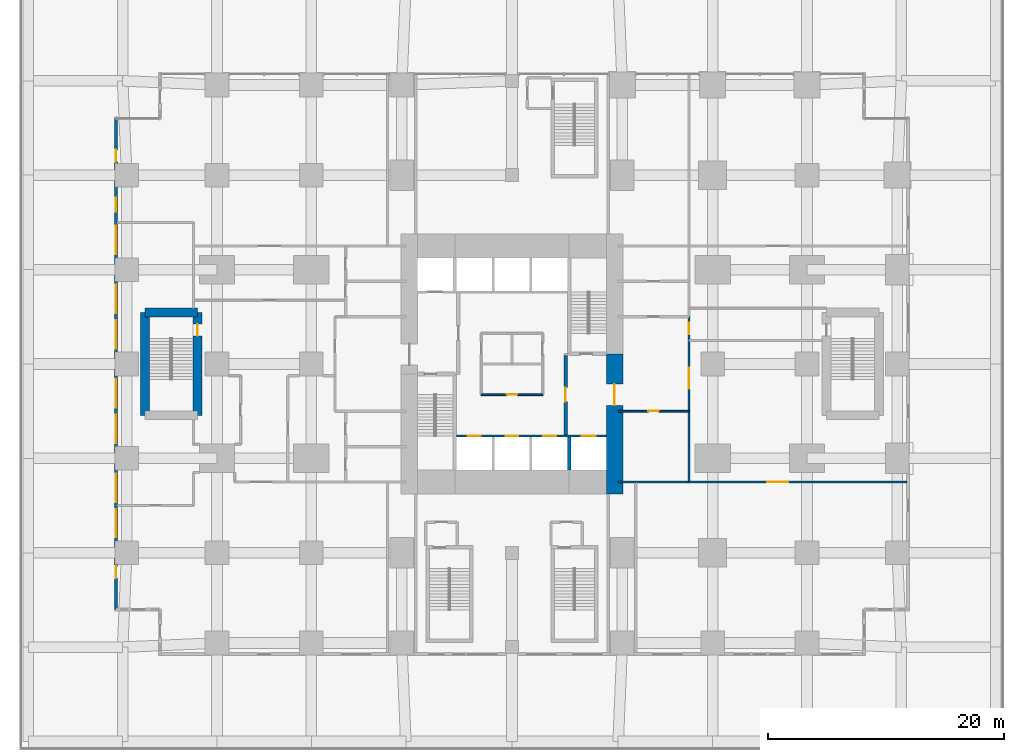
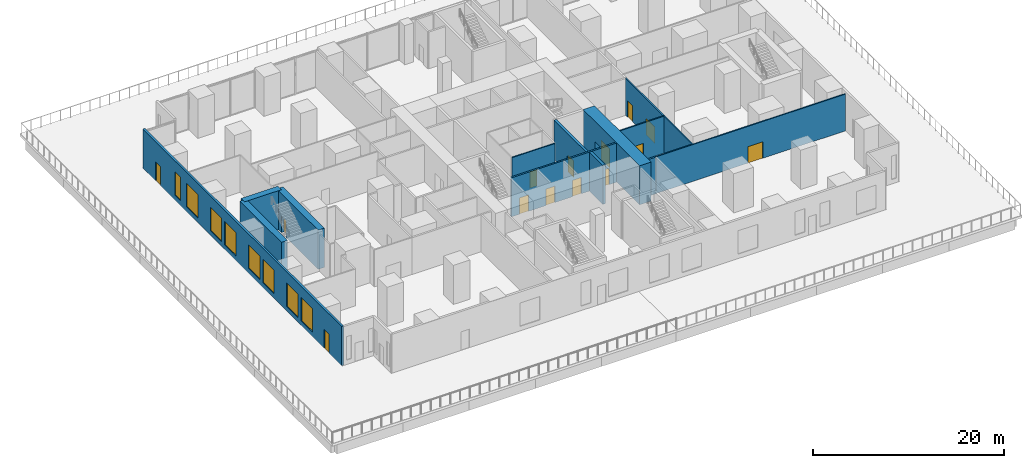
# One storey, part 9 of 16: 14 doors, 13 walls, 8 windows, 22 openings.
"""IFC4 building model written with IfcOpenShell, lengths in metres."""

from ifc_helpers import new_model, si_unit, direction, frame, frame_2d, origin, place, context, subcontext, project, spatial, rectangle, extrude, material, layer, layer_set, type_object, element, fill, save


model = new_model("IFC4")

# Units and contexts
model_context = context("Model", 3, precision=1e-05, world=origin(), true_north=direction((0.0, 1.0)))
body_context = subcontext(model_context, "Body", "Model", "MODEL_VIEW")
ifc_project = project(units=[si_unit("LENGTHUNIT", "METRE"), si_unit("AREAUNIT", "SQUARE_METRE"), si_unit("VOLUMEUNIT", "CUBIC_METRE"), si_unit("PLANEANGLEUNIT", "RADIAN"), si_unit("MASSUNIT", "GRAM", prefix="KILO")], contexts=[model_context])

# Site, building, storey
site_placement = place(None, origin())
site = spatial("IfcSite", under=ifc_project, at=site_placement, CompositionType="ELEMENT")
building_placement = place(site_placement, origin())
building = spatial("IfcBuilding", under=site, at=building_placement, Name="Cleftline Residences", CompositionType="ELEMENT")
storey_placement = place(building_placement, frame((0.0, 0.0, 16.0)))
storey = spatial("IfcBuildingStorey", under=building, at=storey_placement, Name="L03", CompositionType="ELEMENT", Elevation=16.0)

# Wall, opening, door
ifc_material_1 = material(Name="Concrete B70", Category="concrete")
ifc_layer_1 = layer(ifc_material_1, 1.39990234375)
ifc_layer_set_1 = layer_set([ifc_layer_1], Name="CORE WALL 1400")
wall_type_1 = type_object("IfcWallType", Name="CORE WALL 1400", PredefinedType="SHEAR", material=ifc_layer_set_1)
wall_1_placement = place(storey_placement, frame((41.699951171875, 13.0, 0.0), z_axis=(0.0, 0.0, 1.0), x_axis=(0.0, 1.0, 0.0)))
wall_1 = element("IfcWall", 1, at=wall_1_placement, inside=storey, type_object=wall_type_1, Name="Core wall E", PredefinedType="SHEAR", context=body_context, shape_type="SweptSolid", body=[
    extrude(rectangle(XDim=11.85009765625, YDim=1.39990234375, at=frame_2d((5.925048828125, 0.0))), origin(), (0.0, 0.0, 1.0), 5.0),
])
opening_1_placement = place(wall_1_placement, frame((7.5, 0.0, 0.0)))
opening_1 = element("IfcOpeningElement", 2, at=opening_1_placement, cuts=wall_1, Name="Opening D7", PredefinedType="OPENING", context=body_context, shape_type="SweptSolid", body=[
    extrude(rectangle(XDim=1.800048828125, YDim=2.39990234375, at=frame_2d((0.89990234375, 1.199951171875))), frame((0.0, 0.7099609375, 0.0), z_axis=(0.0, -1.0, 0.0), x_axis=(1.0, 0.0, 0.0)), (0.0, 0.0, 1.0), 1.419921875),
])
ifc_material_2 = material(Name="Steel", Category="steel")
door_type_1 = type_object("IfcDoorType", Name="WING DOOR 1800X2400", OperationType="DOUBLE_DOOR_DOUBLE_SWING", PredefinedType="DOOR", material=ifc_material_2)
door_1_placement = place(opening_1_placement, origin())
door_1 = element("IfcDoor", 3, at=door_1_placement, inside=storey, type_object=door_type_1, Name="East wing door", OperationType="DOUBLE_DOOR_DOUBLE_SWING", OverallHeight=2.39990234375, OverallWidth=1.800048828125, PredefinedType="DOOR", context=body_context, shape_type="SweptSolid", body=[
    extrude(rectangle(XDim=1.800048828125, YDim=2.39990234375, at=frame_2d((0.89990234375, 1.199951171875))), frame((0.0, 0.02490234375, 0.0), z_axis=(0.0, -1.0, 0.0), x_axis=(1.0, 0.0, 0.0)), (0.0, 0.0, 1.0), 0.050048828125),
])
fill(opening_1, door_1)

# Wall
ifc_material_3 = material(Name="Concrete B70", Category="concrete")
ifc_layer_2 = layer(ifc_material_3, 0.300048828125)
ifc_layer_set_2 = layer_set([ifc_layer_2], Name="CORE WALL 300")
wall_type_2 = type_object("IfcWallType", Name="CORE WALL 300", PredefinedType="SHEAR", material=ifc_layer_set_2)
wall_2_placement = place(storey_placement, frame((37.85009765625, 15.0, 0.0), z_axis=(0.0, 0.0, 1.0), x_axis=(0.0, 1.0, 0.0)))
element("IfcWall", 4, at=wall_2_placement, inside=storey, type_object=wall_type_2, Name="Lift shaft wall", PredefinedType="SHEAR", context=body_context, shape_type="SweptSolid", body=[
    extrude(rectangle(XDim=2.800048828125, YDim=0.300048828125, at=frame_2d((1.39990234375, 0.0))), origin(), (0.0, 0.0, 1.0), 5.0),
])

# Wall, openings, doors, windows
ifc_material_4 = material(Name="Rendered reinforced concrete blockwork", Category="masonry")
ifc_layer_3 = layer(ifc_material_4, 0.25)
ifc_layer_set_3 = layer_set([ifc_layer_3], Name="EXTERNAL WALL 250")
wall_type_3 = type_object("IfcWallType", Name="EXTERNAL WALL 250", PredefinedType="SOLIDWALL", material=ifc_layer_set_3)
wall_3_placement = place(storey_placement, frame((-0.574951171875, 44.824951171875, 0.0), z_axis=(0.0, 0.0, 1.0), x_axis=(0.0, -1.0, 0.0)))
wall_3 = element("IfcWall", 5, at=wall_3_placement, inside=storey, type_object=wall_type_3, Name="External wall", PredefinedType="SOLIDWALL", context=body_context, shape_type="SweptSolid", body=[
    extrude(rectangle(XDim=41.64990234375, YDim=0.25, at=frame_2d((20.824951171875, 0.0))), origin(), (0.0, 0.0, 1.0), 5.0),
])
opening_2_placement = place(wall_3_placement, frame((2.675048828125, 0.0, 0.0)))
opening_2 = element("IfcOpeningElement", 6, at=opening_2_placement, cuts=wall_3, Name="Opening DT1", PredefinedType="OPENING", context=body_context, shape_type="SweptSolid", body=[
    extrude(rectangle(XDim=1.0, YDim=2.39990234375, at=frame_2d((0.5, 1.199951171875))), frame((0.0, 0.135009765625, 0.0), z_axis=(0.0, -1.0, 0.0), x_axis=(1.0, 0.0, 0.0)), (0.0, 0.0, 1.0), 0.27001953125),
])
opening_3_placement = place(wall_3_placement, frame((6.72509765625, 0.0, 0.60009765625)))
opening_3 = element("IfcOpeningElement", 7, at=opening_3_placement, cuts=wall_3, Name="Opening W5", PredefinedType="OPENING", context=body_context, shape_type="SweptSolid", body=[
    extrude(rectangle(XDim=1.199951171875, YDim=3.0, at=frame_2d((0.60009765625, 1.5))), frame((0.0, 0.135009765625, 0.0), z_axis=(0.0, -1.0, 0.0), x_axis=(1.0, 0.0, 0.0)), (0.0, 0.0, 1.0), 0.27001953125),
])
opening_4_placement = place(wall_3_placement, frame((9.125, 0.0, 0.60009765625)))
opening_4 = element("IfcOpeningElement", 8, at=opening_4_placement, cuts=wall_3, Name="Opening W3", PredefinedType="OPENING", context=body_context, shape_type="SweptSolid", body=[
    extrude(rectangle(XDim=2.39990234375, YDim=3.0, at=frame_2d((1.199951171875, 1.5))), frame((0.0, 0.135009765625, 0.0), z_axis=(0.0, -1.0, 0.0), x_axis=(1.0, 0.0, 0.0)), (0.0, 0.0, 1.0), 0.27001953125),
])
opening_5_placement = place(wall_3_placement, frame((14.125, 0.0, 0.60009765625)))
opening_5 = element("IfcOpeningElement", 9, at=opening_5_placement, cuts=wall_3, Name="Opening W3", PredefinedType="OPENING", context=body_context, shape_type="SweptSolid", body=[
    extrude(rectangle(XDim=2.39990234375, YDim=3.0, at=frame_2d((1.199951171875, 1.5))), frame((0.0, 0.135009765625, 0.0), z_axis=(0.0, -1.0, 0.0), x_axis=(1.0, 0.0, 0.0)), (0.0, 0.0, 1.0), 0.27001953125),
])
opening_6_placement = place(wall_3_placement, frame((17.125, 0.0, 0.60009765625)))
opening_6 = element("IfcOpeningElement", 10, at=opening_6_placement, cuts=wall_3, Name="Opening W3", PredefinedType="OPENING", context=body_context, shape_type="SweptSolid", body=[
    extrude(rectangle(XDim=2.39990234375, YDim=3.0, at=frame_2d((1.199951171875, 1.5))), frame((0.0, 0.135009765625, 0.0), z_axis=(0.0, -1.0, 0.0), x_axis=(1.0, 0.0, 0.0)), (0.0, 0.0, 1.0), 0.27001953125),
])
opening_7_placement = place(wall_3_placement, frame((22.125, 0.0, 0.60009765625)))
opening_7 = element("IfcOpeningElement", 11, at=opening_7_placement, cuts=wall_3, Name="Opening W3", PredefinedType="OPENING", context=body_context, shape_type="SweptSolid", body=[
    extrude(rectangle(XDim=2.39990234375, YDim=3.0, at=frame_2d((1.199951171875, 1.5))), frame((0.0, 0.135009765625, 0.0), z_axis=(0.0, -1.0, 0.0), x_axis=(1.0, 0.0, 0.0)), (0.0, 0.0, 1.0), 0.27001953125),
])
opening_8_placement = place(wall_3_placement, frame((25.125, 0.0, 0.60009765625)))
opening_8 = element("IfcOpeningElement", 12, at=opening_8_placement, cuts=wall_3, Name="Opening W3", PredefinedType="OPENING", context=body_context, shape_type="SweptSolid", body=[
    extrude(rectangle(XDim=2.39990234375, YDim=3.0, at=frame_2d((1.199951171875, 1.5))), frame((0.0, 0.135009765625, 0.0), z_axis=(0.0, -1.0, 0.0), x_axis=(1.0, 0.0, 0.0)), (0.0, 0.0, 1.0), 0.27001953125),
])
opening_9_placement = place(wall_3_placement, frame((30.125, 0.0, 0.60009765625)))
opening_9 = element("IfcOpeningElement", 13, at=opening_9_placement, cuts=wall_3, Name="Opening W3", PredefinedType="OPENING", context=body_context, shape_type="SweptSolid", body=[
    extrude(rectangle(XDim=2.39990234375, YDim=3.0, at=frame_2d((1.199951171875, 1.5))), frame((0.0, 0.135009765625, 0.0), z_axis=(0.0, -1.0, 0.0), x_axis=(1.0, 0.0, 0.0)), (0.0, 0.0, 1.0), 0.27001953125),
])
opening_10_placement = place(wall_3_placement, frame((37.97509765625, 0.0, 0.0)))
opening_10 = element("IfcOpeningElement", 14, at=opening_10_placement, cuts=wall_3, Name="Opening DT1", PredefinedType="OPENING", context=body_context, shape_type="SweptSolid", body=[
    extrude(rectangle(XDim=1.0, YDim=2.39990234375, at=frame_2d((0.5, 1.199951171875))), frame((0.0, 0.135009765625, 0.0), z_axis=(0.0, -1.0, 0.0), x_axis=(1.0, 0.0, 0.0)), (0.0, 0.0, 1.0), 0.27001953125),
])
opening_11_placement = place(wall_3_placement, frame((33.125, 0.0, 0.60009765625)))
opening_11 = element("IfcOpeningElement", 15, at=opening_11_placement, cuts=wall_3, Name="Opening W3", PredefinedType="OPENING", context=body_context, shape_type="SweptSolid", body=[
    extrude(rectangle(XDim=2.39990234375, YDim=3.0, at=frame_2d((1.199951171875, 1.5))), frame((0.0, 0.135009765625, 0.0), z_axis=(0.0, -1.0, 0.0), x_axis=(1.0, 0.0, 0.0)), (0.0, 0.0, 1.0), 0.27001953125),
])
ifc_material_5 = material(Name="Aluminium and laminated glass", Category="aluminium")
door_type_2 = type_object("IfcDoorType", Name="TERRACE DOOR 1000X2400", OperationType="SINGLE_SWING_LEFT", PredefinedType="DOOR", material=ifc_material_5)
door_2_placement = place(opening_2_placement, origin())
door_2 = element("IfcDoor", 16, at=door_2_placement, inside=storey, type_object=door_type_2, Name="Terrace door", OperationType="SINGLE_SWING_RIGHT", OverallHeight=2.39990234375, OverallWidth=1.0, PredefinedType="DOOR", context=body_context, shape_type="SweptSolid", body=[
    extrude(rectangle(XDim=1.0, YDim=2.39990234375, at=frame_2d((0.5, 1.199951171875))), frame((0.0, 0.02490234375, 0.0), z_axis=(0.0, -1.0, 0.0), x_axis=(1.0, 0.0, 0.0)), (0.0, 0.0, 1.0), 0.050048828125),
])
fill(opening_2, door_2)
door_3_placement = place(opening_10_placement, origin())
door_3 = element("IfcDoor", 17, at=door_3_placement, inside=storey, type_object=door_type_2, Name="Terrace door", OperationType="SINGLE_SWING_LEFT", OverallHeight=2.39990234375, OverallWidth=1.0, PredefinedType="DOOR", context=body_context, shape_type="SweptSolid", body=[
    extrude(rectangle(XDim=1.0, YDim=2.39990234375, at=frame_2d((0.5, 1.199951171875))), frame((0.0, 0.02490234375, 0.0), z_axis=(0.0, -1.0, 0.0), x_axis=(1.0, 0.0, 0.0)), (0.0, 0.0, 1.0), 0.050048828125),
])
fill(opening_10, door_3)
ifc_material_6 = material(Name="Aluminium frame, clear double glazing", Category="aluminium")
window_type_1 = type_object("IfcWindowType", Name="WINDOW 1200X3000", PartitioningType="DOUBLE_PANEL_VERTICAL", PredefinedType="WINDOW", material=ifc_material_6)
window_1_placement = place(opening_3_placement, origin())
window_1 = element("IfcWindow", 18, at=window_1_placement, inside=storey, type_object=window_type_1, Name="Window", OverallHeight=3.0, OverallWidth=1.199951171875, PartitioningType="SINGLE_PANEL", PredefinedType="WINDOW", context=body_context, shape_type="SweptSolid", body=[
    extrude(rectangle(XDim=1.199951171875, YDim=3.0, at=frame_2d((0.60009765625, 1.5))), frame((0.0, 0.030029296875, 0.0), z_axis=(0.0, -1.0, 0.0), x_axis=(1.0, 0.0, 0.0)), (0.0, 0.0, 1.0), 0.06005859375),
])
fill(opening_3, window_1)
ifc_material_7 = material(Name="Aluminium frame, clear double glazing", Category="aluminium")
window_type_2 = type_object("IfcWindowType", Name="WINDOW 2400X3000", PartitioningType="DOUBLE_PANEL_VERTICAL", PredefinedType="WINDOW", material=ifc_material_7)
window_2_placement = place(opening_4_placement, origin())
window_2 = element("IfcWindow", 19, at=window_2_placement, inside=storey, type_object=window_type_2, Name="Window", OverallHeight=3.0, OverallWidth=2.39990234375, PartitioningType="SINGLE_PANEL", PredefinedType="WINDOW", context=body_context, shape_type="SweptSolid", body=[
    extrude(rectangle(XDim=2.39990234375, YDim=3.0, at=frame_2d((1.199951171875, 1.5))), frame((0.0, 0.030029296875, 0.0), z_axis=(0.0, -1.0, 0.0), x_axis=(1.0, 0.0, 0.0)), (0.0, 0.0, 1.0), 0.06005859375),
])
fill(opening_4, window_2)
window_3_placement = place(opening_5_placement, origin())
window_3 = element("IfcWindow", 20, at=window_3_placement, inside=storey, type_object=window_type_2, Name="Window", OverallHeight=3.0, OverallWidth=2.39990234375, PartitioningType="SINGLE_PANEL", PredefinedType="WINDOW", context=body_context, shape_type="SweptSolid", body=[
    extrude(rectangle(XDim=2.39990234375, YDim=3.0, at=frame_2d((1.199951171875, 1.5))), frame((0.0, 0.030029296875, 0.0), z_axis=(0.0, -1.0, 0.0), x_axis=(1.0, 0.0, 0.0)), (0.0, 0.0, 1.0), 0.06005859375),
])
fill(opening_5, window_3)
window_4_placement = place(opening_6_placement, origin())
window_4 = element("IfcWindow", 21, at=window_4_placement, inside=storey, type_object=window_type_2, Name="Window", OverallHeight=3.0, OverallWidth=2.39990234375, PartitioningType="SINGLE_PANEL", PredefinedType="WINDOW", context=body_context, shape_type="SweptSolid", body=[
    extrude(rectangle(XDim=2.39990234375, YDim=3.0, at=frame_2d((1.199951171875, 1.5))), frame((0.0, 0.030029296875, 0.0), z_axis=(0.0, -1.0, 0.0), x_axis=(1.0, 0.0, 0.0)), (0.0, 0.0, 1.0), 0.06005859375),
])
fill(opening_6, window_4)
window_5_placement = place(opening_7_placement, origin())
window_5 = element("IfcWindow", 22, at=window_5_placement, inside=storey, type_object=window_type_2, Name="Window", OverallHeight=3.0, OverallWidth=2.39990234375, PartitioningType="SINGLE_PANEL", PredefinedType="WINDOW", context=body_context, shape_type="SweptSolid", body=[
    extrude(rectangle(XDim=2.39990234375, YDim=3.0, at=frame_2d((1.199951171875, 1.5))), frame((0.0, 0.030029296875, 0.0), z_axis=(0.0, -1.0, 0.0), x_axis=(1.0, 0.0, 0.0)), (0.0, 0.0, 1.0), 0.06005859375),
])
fill(opening_7, window_5)
window_6_placement = place(opening_8_placement, origin())
window_6 = element("IfcWindow", 23, at=window_6_placement, inside=storey, type_object=window_type_2, Name="Window", OverallHeight=3.0, OverallWidth=2.39990234375, PartitioningType="SINGLE_PANEL", PredefinedType="WINDOW", context=body_context, shape_type="SweptSolid", body=[
    extrude(rectangle(XDim=2.39990234375, YDim=3.0, at=frame_2d((1.199951171875, 1.5))), frame((0.0, 0.030029296875, 0.0), z_axis=(0.0, -1.0, 0.0), x_axis=(1.0, 0.0, 0.0)), (0.0, 0.0, 1.0), 0.06005859375),
])
fill(opening_8, window_6)
window_7_placement = place(opening_9_placement, origin())
window_7 = element("IfcWindow", 24, at=window_7_placement, inside=storey, type_object=window_type_2, Name="Window", OverallHeight=3.0, OverallWidth=2.39990234375, PartitioningType="SINGLE_PANEL", PredefinedType="WINDOW", context=body_context, shape_type="SweptSolid", body=[
    extrude(rectangle(XDim=2.39990234375, YDim=3.0, at=frame_2d((1.199951171875, 1.5))), frame((0.0, 0.030029296875, 0.0), z_axis=(0.0, -1.0, 0.0), x_axis=(1.0, 0.0, 0.0)), (0.0, 0.0, 1.0), 0.06005859375),
])
fill(opening_9, window_7)
window_8_placement = place(opening_11_placement, origin())
window_8 = element("IfcWindow", 25, at=window_8_placement, inside=storey, type_object=window_type_2, Name="Window", OverallHeight=3.0, OverallWidth=2.39990234375, PartitioningType="SINGLE_PANEL", PredefinedType="WINDOW", context=body_context, shape_type="SweptSolid", body=[
    extrude(rectangle(XDim=2.39990234375, YDim=3.0, at=frame_2d((1.199951171875, 1.5))), frame((0.0, 0.030029296875, 0.0), z_axis=(0.0, -1.0, 0.0), x_axis=(1.0, 0.0, 0.0)), (0.0, 0.0, 1.0), 0.06005859375),
])
fill(opening_11, window_8)

# Wall
ifc_material_8 = material(Name="Concrete blockwork, fire rated", Category="masonry")
ifc_layer_4 = layer(ifc_material_8, 0.199951171875)
ifc_layer_set_4 = layer_set([ifc_layer_4], Name="FIRE WALL 200")
wall_type_4 = type_object("IfcWallType", Name="FIRE WALL 200", PredefinedType="PARTITIONING", material=ifc_layer_set_4)
wall_4_placement = place(storey_placement, frame((42.0, 14.0, 0.0), z_axis=(0.0, 0.0, 1.0), x_axis=(1.0, 0.0, 0.0)))
element("IfcWall", 26, at=wall_4_placement, inside=storey, type_object=wall_type_4, Name="Fire separating wall", PredefinedType="PARTITIONING", context=body_context, shape_type="SweptSolid", body=[
    extrude(rectangle(XDim=1.5, YDim=0.199951171875, at=frame_2d((0.75, 0.0))), origin(), (0.0, 0.0, 1.0), 4.699951171875),
])

# Wall, opening, door
ifc_material_9 = material(Name="Gypsum board on steel studs", Category="steel")
ifc_layer_5 = layer(ifc_material_9, 0.14990234375)
ifc_layer_set_5 = layer_set([ifc_layer_5], Name="PARTITION 150")
wall_type_5 = type_object("IfcWallType", Name="PARTITION 150", PredefinedType="PARTITIONING", material=ifc_layer_set_5)
wall_5_placement = place(storey_placement, frame((43.5, 14.0, 0.0), z_axis=(0.0, 0.0, 1.0), x_axis=(1.0, 0.0, 0.0)))
wall_5 = element("IfcWall", 27, at=wall_5_placement, inside=storey, type_object=wall_type_5, Name="Partition", PredefinedType="PARTITIONING", context=body_context, shape_type="SweptSolid", body=[
    extrude(rectangle(XDim=22.949951171875, YDim=0.14990234375, at=frame_2d((11.47509765625, 0.0))), origin(), (0.0, 0.0, 1.0), 4.699951171875),
])
opening_12_placement = place(wall_5_placement, frame((11.125, 0.0, 0.0)))
opening_12 = element("IfcOpeningElement", 28, at=opening_12_placement, cuts=wall_5, Name="Opening D3", PredefinedType="OPENING", context=body_context, shape_type="SweptSolid", body=[
    extrude(rectangle(XDim=1.800048828125, YDim=2.10009765625, at=frame_2d((0.89990234375, 1.050048828125))), frame((0.0, 0.0849609375, 0.0), z_axis=(0.0, -1.0, 0.0), x_axis=(1.0, 0.0, 0.0)), (0.0, 0.0, 1.0), 0.169921875),
])
ifc_material_10 = material(Name="Timber veneer on solid core", Category="wood")
door_type_3 = type_object("IfcDoorType", Name="DOUBLE DOOR 1800X2100", OperationType="DOUBLE_DOOR_DOUBLE_SWING", PredefinedType="DOOR", material=ifc_material_10)
door_4_placement = place(opening_12_placement, origin())
door_4 = element("IfcDoor", 29, at=door_4_placement, inside=storey, type_object=door_type_3, Name="Door to media lounge", OperationType="DOUBLE_DOOR_DOUBLE_SWING", OverallHeight=2.10009765625, OverallWidth=1.800048828125, PredefinedType="DOOR", context=body_context, shape_type="SweptSolid", body=[
    extrude(rectangle(XDim=1.800048828125, YDim=2.10009765625, at=frame_2d((0.89990234375, 1.050048828125))), frame((0.0, 0.02490234375, 0.0), z_axis=(0.0, -1.0, 0.0), x_axis=(1.0, 0.0, 0.0)), (0.0, 0.0, 1.0), 0.050048828125),
])
fill(opening_12, door_4)

wall_6_placement = place(storey_placement, frame((42.0, 20.0, 0.0), z_axis=(0.0, 0.0, 1.0), x_axis=(1.0, 0.0, 0.0)))
wall_6 = element("IfcWall", 30, at=wall_6_placement, inside=storey, type_object=wall_type_5, Name="Partition", PredefinedType="PARTITIONING", context=body_context, shape_type="SweptSolid", body=[
    extrude(rectangle(XDim=6.0, YDim=0.14990234375, at=frame_2d((3.0, 0.0))), origin(), (0.0, 0.0, 1.0), 4.699951171875),
])
opening_13_placement = place(wall_6_placement, frame((2.550048828125, 0.0, 0.0)))
opening_13 = element("IfcOpeningElement", 31, at=opening_13_placement, cuts=wall_6, Name="Opening D1", PredefinedType="OPENING", context=body_context, shape_type="SweptSolid", body=[
    extrude(rectangle(XDim=0.89990234375, YDim=2.10009765625, at=frame_2d((0.449951171875, 1.050048828125))), frame((0.0, 0.0849609375, 0.0), z_axis=(0.0, -1.0, 0.0), x_axis=(1.0, 0.0, 0.0)), (0.0, 0.0, 1.0), 0.169921875),
])
ifc_material_11 = material(Name="Timber veneer on solid core", Category="wood")
door_type_4 = type_object("IfcDoorType", Name="DOOR 900X2100", OperationType="SINGLE_SWING_LEFT", PredefinedType="DOOR", material=ifc_material_11)
door_5_placement = place(opening_13_placement, origin())
door_5 = element("IfcDoor", 32, at=door_5_placement, inside=storey, type_object=door_type_4, Name="Door to store room", OperationType="SINGLE_SWING_LEFT", OverallHeight=2.10009765625, OverallWidth=0.89990234375, PredefinedType="DOOR", context=body_context, shape_type="SweptSolid", body=[
    extrude(rectangle(XDim=0.89990234375, YDim=2.10009765625, at=frame_2d((0.449951171875, 1.050048828125))), frame((0.0, 0.02490234375, 0.0), z_axis=(0.0, -1.0, 0.0), x_axis=(1.0, 0.0, 0.0)), (0.0, 0.0, 1.0), 0.050048828125),
])
fill(opening_13, door_5)

# Wall, openings, doors
wall_7_placement = place(storey_placement, frame((48.0, 14.0, 0.0), z_axis=(0.0, 0.0, 1.0), x_axis=(0.0, 1.0, 0.0)))
wall_7 = element("IfcWall", 33, at=wall_7_placement, inside=storey, type_object=wall_type_5, Name="Partition", PredefinedType="PARTITIONING", context=body_context, shape_type="SweptSolid", body=[
    extrude(rectangle(XDim=14.0, YDim=0.14990234375, at=frame_2d((7.0, 0.0))), origin(), (0.0, 0.0, 1.0), 4.699951171875),
])
opening_14_placement = place(wall_7_placement, frame((12.5, 0.0, 0.0)))
opening_14 = element("IfcOpeningElement", 34, at=opening_14_placement, cuts=wall_7, Name="Opening D2F30", PredefinedType="OPENING", context=body_context, shape_type="SweptSolid", body=[
    extrude(rectangle(XDim=1.0, YDim=2.10009765625, at=frame_2d((0.5, 1.050048828125))), frame((0.0, 0.0849609375, 0.0), z_axis=(0.0, -1.0, 0.0), x_axis=(1.0, 0.0, 0.0)), (0.0, 0.0, 1.0), 0.169921875),
])
opening_15_placement = place(wall_7_placement, frame((7.89990234375, 0.0, 0.0)))
opening_15 = element("IfcOpeningElement", 35, at=opening_15_placement, cuts=wall_7, Name="Opening D3F30", PredefinedType="OPENING", context=body_context, shape_type="SweptSolid", body=[
    extrude(rectangle(XDim=1.800048828125, YDim=2.10009765625, at=frame_2d((0.89990234375, 1.050048828125))), frame((0.0, 0.0849609375, 0.0), z_axis=(0.0, -1.0, 0.0), x_axis=(1.0, 0.0, 0.0)), (0.0, 0.0, 1.0), 0.169921875),
])
ifc_material_12 = material(Name="Timber veneer on solid core", Category="wood")
door_type_5 = type_object("IfcDoorType", Name="DOOR 1000X2100 EI 30", OperationType="SINGLE_SWING_LEFT", PredefinedType="DOOR", material=ifc_material_12)
door_6_placement = place(opening_14_placement, origin())
door_6 = element("IfcDoor", 36, at=door_6_placement, inside=storey, type_object=door_type_5, Name="Door to stair lobby", OperationType="SINGLE_SWING_LEFT", OverallHeight=2.10009765625, OverallWidth=1.0, PredefinedType="DOOR", context=body_context, shape_type="SweptSolid", body=[
    extrude(rectangle(XDim=1.0, YDim=2.10009765625, at=frame_2d((0.5, 1.050048828125))), frame((0.0, 0.02490234375, 0.0), z_axis=(0.0, -1.0, 0.0), x_axis=(1.0, 0.0, 0.0)), (0.0, 0.0, 1.0), 0.050048828125),
])
fill(opening_14, door_6)
ifc_material_13 = material(Name="Timber veneer on solid core", Category="wood")
door_type_6 = type_object("IfcDoorType", Name="DOUBLE DOOR 1800X2100 EI 30", OperationType="DOUBLE_DOOR_DOUBLE_SWING", PredefinedType="DOOR", material=ifc_material_13)
door_7_placement = place(opening_15_placement, origin())
door_7 = element("IfcDoor", 37, at=door_7_placement, inside=storey, type_object=door_type_6, Name="Door to residents' kitchen", OperationType="DOUBLE_DOOR_DOUBLE_SWING", OverallHeight=2.10009765625, OverallWidth=1.800048828125, PredefinedType="DOOR", context=body_context, shape_type="SweptSolid", body=[
    extrude(rectangle(XDim=1.800048828125, YDim=2.10009765625, at=frame_2d((0.89990234375, 1.050048828125))), frame((0.0, 0.02490234375, 0.0), z_axis=(0.0, -1.0, 0.0), x_axis=(1.0, 0.0, 0.0)), (0.0, 0.0, 1.0), 0.050048828125),
])
fill(opening_15, door_7)

# Wall, opening, door
ifc_material_14 = material(Name="Fire-resisting gypsum board on steel studs", Category="steel")
ifc_layer_6 = layer(ifc_material_14, 0.14990234375)
ifc_layer_set_6 = layer_set([ifc_layer_6], Name="PARTITION 150 EI 60")
wall_type_6 = type_object("IfcWallType", Name="PARTITION 150 EI 60", PredefinedType="PARTITIONING", material=ifc_layer_set_6)
wall_8_placement = place(storey_placement, frame((30.39990234375, 21.39990234375, 0.0), z_axis=(0.0, 0.0, 1.0), x_axis=(1.0, 0.0, 0.0)))
wall_8 = element("IfcWall", 38, at=wall_8_placement, inside=storey, type_object=wall_type_6, Name="Core room partition", PredefinedType="PARTITIONING", context=body_context, shape_type="SweptSolid", body=[
    extrude(rectangle(XDim=5.2001953125, YDim=0.14990234375, at=frame_2d((2.60009765625, 0.0))), origin(), (0.0, 0.0, 1.0), 4.699951171875),
])
opening_16_placement = place(wall_8_placement, frame((2.14990234375, 0.0, 0.0)))
opening_16 = element("IfcOpeningElement", 39, at=opening_16_placement, cuts=wall_8, Name="Opening D1F30", PredefinedType="OPENING", context=body_context, shape_type="SweptSolid", body=[
    extrude(rectangle(XDim=0.89990234375, YDim=2.10009765625, at=frame_2d((0.449951171875, 1.050048828125))), frame((0.0, 0.0849609375, 0.0), z_axis=(0.0, -1.0, 0.0), x_axis=(1.0, 0.0, 0.0)), (0.0, 0.0, 1.0), 0.169921875),
])
ifc_material_15 = material(Name="Timber veneer on solid core", Category="wood")
door_type_7 = type_object("IfcDoorType", Name="DOOR 900X2100 EI 30", OperationType="SINGLE_SWING_LEFT", PredefinedType="DOOR", material=ifc_material_15)
door_8_placement = place(opening_16_placement, origin())
door_8 = element("IfcDoor", 40, at=door_8_placement, inside=storey, type_object=door_type_7, Name="Door to concierge store", OperationType="SINGLE_SWING_LEFT", OverallHeight=2.10009765625, OverallWidth=0.89990234375, PredefinedType="DOOR", context=body_context, shape_type="SweptSolid", body=[
    extrude(rectangle(XDim=0.89990234375, YDim=2.10009765625, at=frame_2d((0.449951171875, 1.050048828125))), frame((0.0, 0.02490234375, 0.0), z_axis=(0.0, -1.0, 0.0), x_axis=(1.0, 0.0, 0.0)), (0.0, 0.0, 1.0), 0.050048828125),
])
fill(opening_16, door_8)

# Wall, openings, doors
ifc_material_16 = material(Name="Concrete blockwork, fire rated", Category="masonry")
ifc_layer_7 = layer(ifc_material_16, 0.199951171875)
ifc_layer_set_7 = layer_set([ifc_layer_7], Name="SHAFT WALL 200")
wall_type_7 = type_object("IfcWallType", Name="SHAFT WALL 200", PredefinedType="PARTITIONING", material=ifc_layer_set_7)
wall_9_placement = place(storey_placement, frame((28.300048828125, 17.89990234375, 0.0), z_axis=(0.0, 0.0, 1.0), x_axis=(1.0, 0.0, 0.0)))
wall_9 = element("IfcWall", 41, at=wall_9_placement, inside=storey, type_object=wall_type_7, Name="Lift shaft wall", PredefinedType="PARTITIONING", context=body_context, shape_type="SweptSolid", body=[
    extrude(rectangle(XDim=12.699951171875, YDim=0.199951171875, at=frame_2d((6.35009765625, 0.0))), origin(), (0.0, 0.0, 1.0), 5.0),
])
opening_17_placement = place(wall_9_placement, frame((0.949951171875, 0.0, 0.0)))
opening_17 = element("IfcOpeningElement", 42, at=opening_17_placement, cuts=wall_9, Name="Opening LD1", PredefinedType="OPENING", context=body_context, shape_type="SweptSolid", body=[
    extrude(rectangle(XDim=1.10009765625, YDim=2.10009765625, at=frame_2d((0.550048828125, 1.050048828125))), frame((0.0, 0.10986328125, 0.0), z_axis=(0.0, -1.0, 0.0), x_axis=(1.0, 0.0, 0.0)), (0.0, 0.0, 1.0), 0.219970703125),
])
opening_18_placement = place(wall_9_placement, frame((4.14990234375, 0.0, 0.0)))
opening_18 = element("IfcOpeningElement", 43, at=opening_18_placement, cuts=wall_9, Name="Opening LD1", PredefinedType="OPENING", context=body_context, shape_type="SweptSolid", body=[
    extrude(rectangle(XDim=1.10009765625, YDim=2.10009765625, at=frame_2d((0.550048828125, 1.050048828125))), frame((0.0, 0.10986328125, 0.0), z_axis=(0.0, -1.0, 0.0), x_axis=(1.0, 0.0, 0.0)), (0.0, 0.0, 1.0), 0.219970703125),
])
opening_19_placement = place(wall_9_placement, frame((7.35009765625, 0.0, 0.0)))
opening_19 = element("IfcOpeningElement", 44, at=opening_19_placement, cuts=wall_9, Name="Opening LD1", PredefinedType="OPENING", context=body_context, shape_type="SweptSolid", body=[
    extrude(rectangle(XDim=1.10009765625, YDim=2.10009765625, at=frame_2d((0.550048828125, 1.050048828125))), frame((0.0, 0.10986328125, 0.0), z_axis=(0.0, -1.0, 0.0), x_axis=(1.0, 0.0, 0.0)), (0.0, 0.0, 1.0), 0.219970703125),
])
opening_20_placement = place(wall_9_placement, frame((10.60009765625, 0.0, 0.0)))
opening_20 = element("IfcOpeningElement", 45, at=opening_20_placement, cuts=wall_9, Name="Opening LD2", PredefinedType="OPENING", context=body_context, shape_type="SweptSolid", body=[
    extrude(rectangle(XDim=1.199951171875, YDim=2.10009765625, at=frame_2d((0.60009765625, 1.050048828125))), frame((0.0, 0.10986328125, 0.0), z_axis=(0.0, -1.0, 0.0), x_axis=(1.0, 0.0, 0.0)), (0.0, 0.0, 1.0), 0.219970703125),
])
ifc_material_17 = material(Name="Steel", Category="steel")
door_type_8 = type_object("IfcDoorType", Name="FIREFIGHTING LIFT LANDING DOOR 1200X2100", OperationType="SLIDING_TO_LEFT", PredefinedType="DOOR", material=ifc_material_17)
door_9_placement = place(opening_20_placement, origin())
door_9 = element("IfcDoor", 46, at=door_9_placement, inside=storey, type_object=door_type_8, Name="Lift FL2 landing door", OperationType="SLIDING_TO_LEFT", OverallHeight=2.10009765625, OverallWidth=1.199951171875, PredefinedType="DOOR", context=body_context, shape_type="SweptSolid", body=[
    extrude(rectangle(XDim=1.199951171875, YDim=2.10009765625, at=frame_2d((0.60009765625, 1.050048828125))), frame((0.0, 0.02490234375, 0.0), z_axis=(0.0, -1.0, 0.0), x_axis=(1.0, 0.0, 0.0)), (0.0, 0.0, 1.0), 0.050048828125),
])
fill(opening_20, door_9)
ifc_material_18 = material(Name="Steel", Category="steel")
door_type_9 = type_object("IfcDoorType", Name="LIFT LANDING DOOR 1100X2100", OperationType="SLIDING_TO_LEFT", PredefinedType="DOOR", material=ifc_material_18)
door_10_placement = place(opening_17_placement, origin())
door_10 = element("IfcDoor", 47, at=door_10_placement, inside=storey, type_object=door_type_9, Name="Lift P1 landing door", OperationType="SLIDING_TO_LEFT", OverallHeight=2.10009765625, OverallWidth=1.10009765625, PredefinedType="DOOR", context=body_context, shape_type="SweptSolid", body=[
    extrude(rectangle(XDim=1.10009765625, YDim=2.10009765625, at=frame_2d((0.550048828125, 1.050048828125))), frame((0.0, 0.02490234375, 0.0), z_axis=(0.0, -1.0, 0.0), x_axis=(1.0, 0.0, 0.0)), (0.0, 0.0, 1.0), 0.050048828125),
])
fill(opening_17, door_10)
door_11_placement = place(opening_18_placement, origin())
door_11 = element("IfcDoor", 48, at=door_11_placement, inside=storey, type_object=door_type_9, Name="Lift P2 landing door", OperationType="SLIDING_TO_LEFT", OverallHeight=2.10009765625, OverallWidth=1.10009765625, PredefinedType="DOOR", context=body_context, shape_type="SweptSolid", body=[
    extrude(rectangle(XDim=1.10009765625, YDim=2.10009765625, at=frame_2d((0.550048828125, 1.050048828125))), frame((0.0, 0.02490234375, 0.0), z_axis=(0.0, -1.0, 0.0), x_axis=(1.0, 0.0, 0.0)), (0.0, 0.0, 1.0), 0.050048828125),
])
fill(opening_18, door_11)
door_12_placement = place(opening_19_placement, origin())
door_12 = element("IfcDoor", 49, at=door_12_placement, inside=storey, type_object=door_type_9, Name="Lift P3 landing door", OperationType="SLIDING_TO_LEFT", OverallHeight=2.10009765625, OverallWidth=1.10009765625, PredefinedType="DOOR", context=body_context, shape_type="SweptSolid", body=[
    extrude(rectangle(XDim=1.10009765625, YDim=2.10009765625, at=frame_2d((0.550048828125, 1.050048828125))), frame((0.0, 0.02490234375, 0.0), z_axis=(0.0, -1.0, 0.0), x_axis=(1.0, 0.0, 0.0)), (0.0, 0.0, 1.0), 0.050048828125),
])
fill(opening_19, door_12)

# Wall, opening, door
ifc_material_19 = material(Name="Concrete B70", Category="concrete")
ifc_layer_8 = layer(ifc_material_19, 0.75)
ifc_layer_set_8 = layer_set([ifc_layer_8], Name="SHEAR WALL 750")
wall_type_8 = type_object("IfcWallType", Name="SHEAR WALL 750", PredefinedType="SHEAR", material=ifc_layer_set_8)
wall_10_placement = place(storey_placement, frame((6.35009765625, 19.64990234375, 0.0), z_axis=(0.0, 0.0, 1.0), x_axis=(0.0, 1.0, 0.0)))
wall_10 = element("IfcWall", 50, at=wall_10_placement, inside=storey, type_object=wall_type_8, Name="Wing shear wall", PredefinedType="SHEAR", context=body_context, shape_type="SweptSolid", body=[
    extrude(rectangle(XDim=8.7001953125, YDim=0.75, at=frame_2d((4.35009765625, 0.0))), origin(), (0.0, 0.0, 1.0), 5.0),
])
opening_21_placement = place(wall_10_placement, frame((6.72509765625, 0.0, 0.0)))
opening_21 = element("IfcOpeningElement", 51, at=opening_21_placement, cuts=wall_10, Name="Opening D5", PredefinedType="OPENING", context=body_context, shape_type="SweptSolid", body=[
    extrude(rectangle(XDim=1.0, YDim=2.10009765625, at=frame_2d((0.5, 1.050048828125))), frame((0.0, 0.385009765625, 0.0), z_axis=(0.0, -1.0, 0.0), x_axis=(1.0, 0.0, 0.0)), (0.0, 0.0, 1.0), 0.77001953125),
])
ifc_material_20 = material(Name="Steel", Category="steel")
door_type_10 = type_object("IfcDoorType", Name="STAIR DOOR 1000X2100", OperationType="SINGLE_SWING_LEFT", PredefinedType="DOOR", material=ifc_material_20)
door_13_placement = place(opening_21_placement, origin())
door_13 = element("IfcDoor", 52, at=door_13_placement, inside=storey, type_object=door_type_10, Name="Stair W door", OperationType="SINGLE_SWING_LEFT", OverallHeight=2.10009765625, OverallWidth=1.0, PredefinedType="DOOR", context=body_context, shape_type="SweptSolid", body=[
    extrude(rectangle(XDim=1.0, YDim=2.10009765625, at=frame_2d((0.5, 1.050048828125))), frame((0.0, 0.02490234375, 0.0), z_axis=(0.0, -1.0, 0.0), x_axis=(1.0, 0.0, 0.0)), (0.0, 0.0, 1.0), 0.050048828125),
])
fill(opening_21, door_13)

# Walls
wall_11_placement = place(storey_placement, frame((6.35009765625, 28.35009765625, 0.0), z_axis=(0.0, 0.0, 1.0), x_axis=(-1.0, 0.0, 0.0)))
element("IfcWall", 53, at=wall_11_placement, inside=storey, type_object=wall_type_8, Name="Wing shear wall", PredefinedType="SHEAR", context=body_context, shape_type="SweptSolid", body=[
    extrude(rectangle(XDim=4.4501953125, YDim=0.75, at=frame_2d((2.22509765625, 0.0))), origin(), (0.0, 0.0, 1.0), 5.0),
])
wall_12_placement = place(storey_placement, frame((1.89990234375, 28.35009765625, 0.0), z_axis=(0.0, 0.0, 1.0), x_axis=(0.0, -1.0, 0.0)))
element("IfcWall", 54, at=wall_12_placement, inside=storey, type_object=wall_type_8, Name="Wing shear wall", PredefinedType="SHEAR", context=body_context, shape_type="SweptSolid", body=[
    extrude(rectangle(XDim=8.7001953125, YDim=0.75, at=frame_2d((4.35009765625, 0.0))), origin(), (0.0, 0.0, 1.0), 5.0),
])

# Wall, opening, door
ifc_material_21 = material(Name="Concrete blockwork, fire rated", Category="masonry")
ifc_layer_9 = layer(ifc_material_21, 0.300048828125)
ifc_layer_set_9 = layer_set([ifc_layer_9], Name="STAIR LOBBY WALL 300")
wall_type_9 = type_object("IfcWallType", Name="STAIR LOBBY WALL 300", PredefinedType="PARTITIONING", material=ifc_layer_set_9)
wall_13_placement = place(storey_placement, frame((37.550048828125, 18.0, 0.0), z_axis=(0.0, 0.0, 1.0), x_axis=(0.0, 1.0, 0.0)))
wall_13 = element("IfcWall", 55, at=wall_13_placement, inside=storey, type_object=wall_type_9, Name="Stair and lobby wall FB-W", PredefinedType="PARTITIONING", context=body_context, shape_type="SweptSolid", body=[
    extrude(rectangle(XDim=6.699951171875, YDim=0.300048828125, at=frame_2d((3.35009765625, 0.0))), origin(), (0.0, 0.0, 1.0), 5.0),
])
opening_22_placement = place(wall_13_placement, frame((2.800048828125, 0.0, 0.0)))
opening_22 = element("IfcOpeningElement", 56, at=opening_22_placement, cuts=wall_13, Name="Opening D6", PredefinedType="OPENING", context=body_context, shape_type="SweptSolid", body=[
    extrude(rectangle(XDim=1.199951171875, YDim=2.10009765625, at=frame_2d((0.60009765625, 1.050048828125))), frame((0.0, 0.159912109375, 0.0), z_axis=(0.0, -1.0, 0.0), x_axis=(1.0, 0.0, 0.0)), (0.0, 0.0, 1.0), 0.320068359375),
])
ifc_material_22 = material(Name="Steel", Category="steel")
door_type_11 = type_object("IfcDoorType", Name="LOBBY DOOR 1200X2100", OperationType="SINGLE_SWING_RIGHT", PredefinedType="DOOR", material=ifc_material_22)
door_14_placement = place(opening_22_placement, origin())
door_14 = element("IfcDoor", 57, at=door_14_placement, inside=storey, type_object=door_type_11, Name="Firefighting lobby B door", OperationType="SINGLE_SWING_LEFT", OverallHeight=2.10009765625, OverallWidth=1.199951171875, PredefinedType="DOOR", context=body_context, shape_type="SweptSolid", body=[
    extrude(rectangle(XDim=1.199951171875, YDim=2.10009765625, at=frame_2d((0.60009765625, 1.050048828125))), frame((0.0, 0.02490234375, 0.0), z_axis=(0.0, -1.0, 0.0), x_axis=(1.0, 0.0, 0.0)), (0.0, 0.0, 1.0), 0.050048828125),
])
fill(opening_22, door_14)

save(model, "model.ifc")
